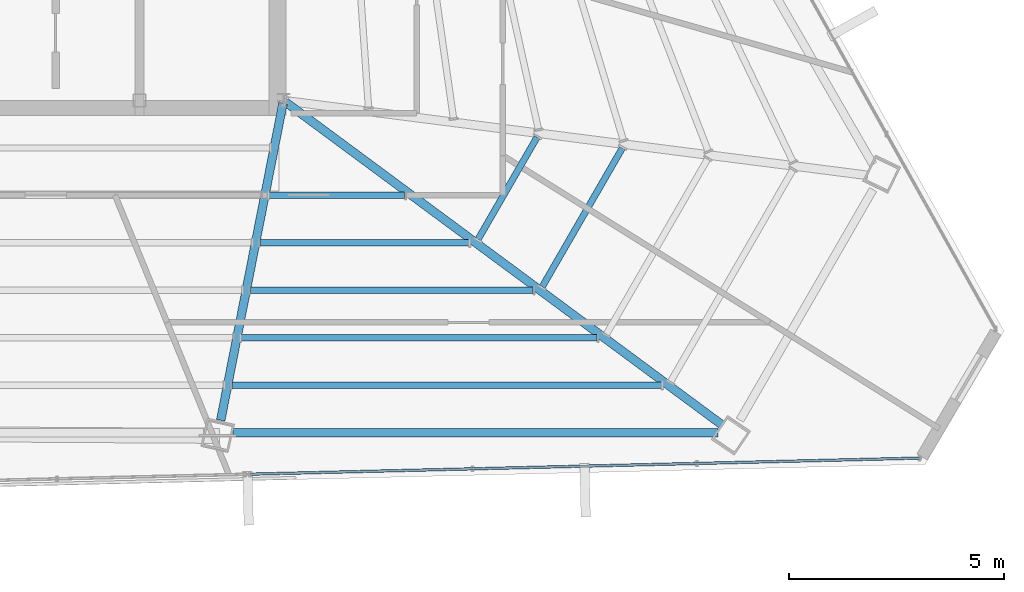
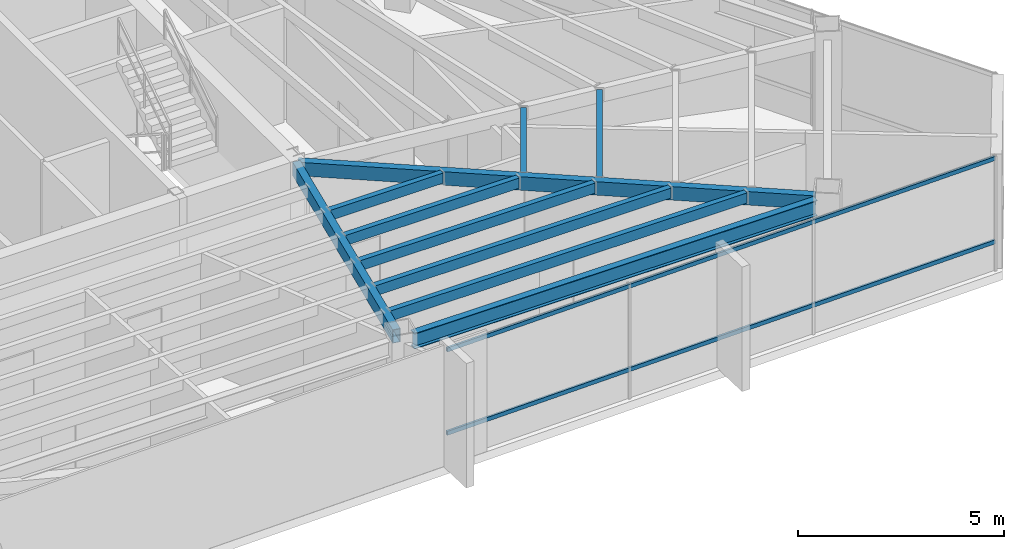
# One storey, part 20 of 48: 10 beams, 2 members, 1 element without a shape of its own.
"""IFC4 building model written with IfcOpenShell, lengths in metres."""

from ifc_helpers import new_model, si_unit, direction, frame, origin, origin_2d, place, context, subcontext, project, spatial, hollow_rectangle, i_section, extrude, source, transform, mapped, material, material_profile, profile_set, type_object, type_shapes, element, aggregate, save


model = new_model("IFC4")

# Units and contexts
model_context = context("Model", 3, precision=1e-05, world=origin(), true_north=direction((0.0, 1.0)))
body_context = subcontext(model_context, "Body", "Model", "MODEL_VIEW")
ifc_project = project(units=[si_unit("LENGTHUNIT", "METRE"), si_unit("AREAUNIT", "SQUARE_METRE"), si_unit("VOLUMEUNIT", "CUBIC_METRE"), si_unit("PLANEANGLEUNIT", "RADIAN"), si_unit("MASSUNIT", "GRAM", prefix="KILO")], contexts=[model_context])

# Site, building, storey
site_placement = place(None, origin())
site = spatial("IfcSite", under=ifc_project, at=site_placement, CompositionType="ELEMENT")
building_placement = place(site_placement, origin())
building = spatial("IfcBuilding", under=site, at=building_placement, Name="Caelisora Broadcast Tower", CompositionType="ELEMENT")
storey_placement = place(building_placement, frame((0.0, 0.0, 270.0)))
storey = spatial("IfcBuildingStorey", under=building, at=storey_placement, Name="L71", CompositionType="ELEMENT", Elevation=270.0)

# Beams
ifc_material_1 = material(Name="Steel Grade 350 (AS/NZS 3679.1)", Category="steel")
ifc_material_profile_1 = material_profile(ifc_material_1, i_section(OverallWidth=0.19091796875, OverallDepth=0.46044921875, WebThickness=0.010009765625, FlangeThickness=0.01611328125, at=origin_2d()), Name="Steel Grade 350 (AS/NZS 3679.1)")
ifc_profile_set_1 = profile_set([ifc_material_profile_1], Name="Steel Grade 350 (AS/NZS 3679.1)")
beam_type_1 = type_object("IfcBeamType", Name="PG06", PredefinedType="BEAM", material=ifc_profile_set_1)
shared_shape_1 = source(origin(), body_context, "Body", "SweptSolid", [
    extrude(i_section(OverallWidth=0.19091796875, OverallDepth=0.46044921875, WebThickness=0.010009765625, FlangeThickness=0.01611328125, at=origin_2d()), origin(), (0.0, 0.0, 1.0), 11.2880859375),
])
type_shapes(beam_type_1, [shared_shape_1])
beam_1_placement = place(storey_placement, frame((44.320068359375, 9.673583984375, 3.169921875), z_axis=(1.0, 0.0, 0.0), x_axis=(0.0, 1.0, 0.0)))
element("IfcBeam", 1, at=beam_1_placement, inside=storey, type_object=beam_type_1, Name="L71 beam PG06", PredefinedType="BEAM", context=body_context, shape_type="MappedRepresentation", body=[
    mapped(shared_shape_1, transform((0.0, 0.0, 0.0), scale=1.0)),
])
ifc_material_2 = material(Name="Steel Grade 350 (AS/NZS 1163 C350L0)", Category="steel")
ifc_material_profile_2 = material_profile(ifc_material_2, hollow_rectangle(XDim=0.199951171875, YDim=0.39990234375, WallThickness=0.012451171875, at=origin_2d()), Name="Steel Grade 350 (AS/NZS 1163 C350L0)")
ifc_profile_set_2 = profile_set([ifc_material_profile_2], Name="Steel Grade 350 (AS/NZS 1163 C350L0)")
beam_type_2 = type_object("IfcBeamType", Name="PG07", PredefinedType="BEAM", material=ifc_profile_set_2)
shared_shape_2 = source(origin(), body_context, "Body", "SweptSolid", [
    extrude(hollow_rectangle(XDim=0.199951171875, YDim=0.39990234375, WallThickness=0.012451171875, at=origin_2d()), origin(), (0.0, 0.0, 1.0), 12.635009765625),
])
beam_2_placement = place(storey_placement, frame((45.548095703125, 17.3642578125, 3.199951171875), z_axis=(0.803986561344, -0.594647466302, 0.0), x_axis=(0.594647466302, 0.803986561344, 0.0)))
element("IfcBeam", 2, at=beam_2_placement, inside=storey, type_object=beam_type_2, Name="L71 beam PG07", PredefinedType="BEAM", context=body_context, shape_type="MappedRepresentation", body=[
    mapped(shared_shape_2, transform((0.0, 0.0, 0.0), scale=1.0)),
])
shared_shape_3 = source(origin(), body_context, "Body", "SweptSolid", [
    extrude(hollow_rectangle(XDim=0.199951171875, YDim=0.39990234375, WallThickness=0.012451171875, at=origin_2d()), origin(), (0.0, 0.0, 1.0), 7.515869140625),
])
type_shapes(beam_type_2, [shared_shape_2, shared_shape_3])
beam_3_placement = place(storey_placement, frame((45.48828125, 17.341064453125, 3.199951171875), z_axis=(-0.192754240095, -0.981247065181, 0.0), x_axis=(0.981247065181, -0.192754240095, 0.0)))
element("IfcBeam", 3, at=beam_3_placement, inside=storey, type_object=beam_type_2, Name="L71 beam PG07", PredefinedType="BEAM", context=body_context, shape_type="MappedRepresentation", body=[
    mapped(shared_shape_3, transform((0.0, 0.0, 0.0), scale=1.0)),
])
ifc_material_profile_3 = material_profile(ifc_material_2, hollow_rectangle(XDim=0.14990234375, YDim=0.300048828125, WallThickness=0.010009765625, at=origin_2d()), Name="Steel Grade 350 (AS/NZS 1163 C350L0)")
ifc_profile_set_3 = profile_set([ifc_material_profile_3], Name="Steel Grade 350 (AS/NZS 1163 C350L0)")
beam_type_3 = type_object("IfcBeamType", Name="SB05", PredefinedType="JOIST", material=ifc_profile_set_3)
shared_shape_4 = source(origin(), body_context, "Body", "SweptSolid", [
    extrude(hollow_rectangle(XDim=0.14990234375, YDim=0.300048828125, WallThickness=0.010009765625, at=origin_2d()), origin(), (0.0, 0.0, 1.0), 2.740478515625),
])
beam_4_placement = place(storey_placement, frame((50.025634765625, 14.173095703125, 3.25), z_axis=(0.500038620418, 0.866003105128, 0.0), x_axis=(-0.866003105128, 0.500038620418, 0.0)))
element("IfcBeam", 4, at=beam_4_placement, inside=storey, type_object=beam_type_3, Name="L71 beam SB05", PredefinedType="JOIST", context=body_context, shape_type="MappedRepresentation", body=[
    mapped(shared_shape_4, transform((0.0, 0.0, 0.0), scale=1.0)),
])
shared_shape_5 = source(origin(), body_context, "Body", "SweptSolid", [
    extrude(hollow_rectangle(XDim=0.14990234375, YDim=0.300048828125, WallThickness=0.010009765625, at=origin_2d()), origin(), (0.0, 0.0, 1.0), 3.7216796875),
])
beam_5_placement = place(storey_placement, frame((51.51806640625, 13.0693359375, 3.25), z_axis=(0.499991230095, 0.866030467032, 0.0), x_axis=(-0.866030467032, 0.499991230095, 0.0)))
element("IfcBeam", 5, at=beam_5_placement, inside=storey, type_object=beam_type_3, Name="L71 beam SB05", PredefinedType="JOIST", context=body_context, shape_type="MappedRepresentation", body=[
    mapped(shared_shape_5, transform((0.0, 0.0, 0.0), scale=1.0)),
])
shared_shape_6 = source(origin(), body_context, "Body", "SweptSolid", [
    extrude(hollow_rectangle(XDim=0.14990234375, YDim=0.300048828125, WallThickness=0.010009765625, at=origin_2d()), origin(), (0.0, 0.0, 1.0), 3.154052734375),
])
beam_6_placement = place(storey_placement, frame((45.165283203125, 15.1923828125, 3.25), z_axis=(1.0, 0.0, 0.0), x_axis=(0.0, 1.0, 0.0)))
element("IfcBeam", 6, at=beam_6_placement, inside=storey, type_object=beam_type_3, Name="L71 beam SB05", PredefinedType="JOIST", context=body_context, shape_type="MappedRepresentation", body=[
    mapped(shared_shape_6, transform((0.0, 0.0, 0.0), scale=1.0)),
])
shared_shape_7 = source(origin(), body_context, "Body", "SweptSolid", [
    extrude(hollow_rectangle(XDim=0.14990234375, YDim=0.300048828125, WallThickness=0.010009765625, at=origin_2d()), origin(), (0.0, 0.0, 1.0), 4.86328125),
])
beam_7_placement = place(storey_placement, frame((44.948486328125, 14.088623046875, 3.25), z_axis=(1.0, 0.0, 0.0), x_axis=(0.0, 1.0, 0.0)))
element("IfcBeam", 7, at=beam_7_placement, inside=storey, type_object=beam_type_3, Name="L71 beam SB05", PredefinedType="JOIST", context=body_context, shape_type="MappedRepresentation", body=[
    mapped(shared_shape_7, transform((0.0, 0.0, 0.0), scale=1.0)),
])
shared_shape_8 = source(origin(), body_context, "Body", "SweptSolid", [
    extrude(hollow_rectangle(XDim=0.14990234375, YDim=0.300048828125, WallThickness=0.010009765625, at=origin_2d()), origin(), (0.0, 0.0, 1.0), 6.57275390625),
])
beam_8_placement = place(storey_placement, frame((44.7314453125, 12.98486328125, 3.25), z_axis=(1.0, 0.0, 0.0), x_axis=(0.0, 1.0, 0.0)))
element("IfcBeam", 8, at=beam_8_placement, inside=storey, type_object=beam_type_3, Name="L71 beam SB05", PredefinedType="JOIST", context=body_context, shape_type="MappedRepresentation", body=[
    mapped(shared_shape_8, transform((0.0, 0.0, 0.0), scale=1.0)),
])
shared_shape_9 = source(origin(), body_context, "Body", "SweptSolid", [
    extrude(hollow_rectangle(XDim=0.14990234375, YDim=0.300048828125, WallThickness=0.010009765625, at=origin_2d()), origin(), (0.0, 0.0, 1.0), 8.28173828125),
])
beam_9_placement = place(storey_placement, frame((44.5146484375, 11.881103515625, 3.25), z_axis=(1.0, 0.0, 0.0), x_axis=(0.0, 1.0, 0.0)))
element("IfcBeam", 9, at=beam_9_placement, inside=storey, type_object=beam_type_3, Name="L71 beam SB05", PredefinedType="JOIST", context=body_context, shape_type="MappedRepresentation", body=[
    mapped(shared_shape_9, transform((0.0, 0.0, 0.0), scale=1.0)),
])
shared_shape_10 = source(origin(), body_context, "Body", "SweptSolid", [
    extrude(hollow_rectangle(XDim=0.14990234375, YDim=0.300048828125, WallThickness=0.010009765625, at=origin_2d()), origin(), (0.0, 0.0, 1.0), 9.990966796875),
])
type_shapes(beam_type_3, [shared_shape_4, shared_shape_5, shared_shape_6, shared_shape_7, shared_shape_8, shared_shape_9, shared_shape_10])
beam_10_placement = place(storey_placement, frame((44.2978515625, 10.77734375, 3.25), z_axis=(1.0, 0.0, 0.0), x_axis=(0.0, 1.0, 0.0)))
element("IfcBeam", 10, at=beam_10_placement, inside=storey, type_object=beam_type_3, Name="L71 beam SB05", PredefinedType="JOIST", context=body_context, shape_type="MappedRepresentation", body=[
    mapped(shared_shape_10, transform((0.0, 0.0, 0.0), scale=1.0)),
])

# Curtain wall, members
ifc_material_3 = material(Name="Unitised Aluminium and Low-E Glass Curtain Wall", Category="glass")
curtain_wall_type = type_object("IfcCurtainWallType", Name="CW-Z5", PredefinedType="NOTDEFINED", material=ifc_material_3)
curtain_wall_placement = place(storey_placement, origin())
curtain_wall = element("IfcCurtainWall", 11, at=curtain_wall_placement, inside=storey, type_object=curtain_wall_type, Name="L71 curtain wall CW-Z5", PredefinedType="NOTDEFINED")
ifc_material_4 = material(Name="Aluminium 6063-T6 Anodised Terracotta Bronze", Category="aluminium")
ifc_material_profile_4 = material_profile(ifc_material_4, hollow_rectangle(XDim=0.06005859375, YDim=0.1201171875, WallThickness=0.0029296875, at=origin_2d()), Name="Aluminium 6063-T6 Anodised Terracotta Bronze")
ifc_profile_set_4 = profile_set([ifc_material_profile_4], Name="Aluminium 6063-T6 Anodised Terracotta Bronze")
member_type = type_object("IfcMemberType", Name="CWT-03", PredefinedType="USERDEFINED", material=ifc_profile_set_4)
shared_shape_11 = source(origin(), body_context, "Body", "SweptSolid", [
    extrude(hollow_rectangle(XDim=0.06005859375, YDim=0.1201171875, WallThickness=0.0029296875, at=origin_2d()), origin(), (0.0, 0.0, 1.0), 15.5751953125),
])
type_shapes(member_type, [shared_shape_11])
member_1_placement = place(storey_placement, frame((60.2880859375, 9.083740234375, 0.85009765625), z_axis=(-0.999711624838, -0.024013895219, 0.0), x_axis=(0.024013895219, -0.999711624838, 0.0)))
member_1 = element("IfcMember", 12, at=member_1_placement, type_object=member_type, Name="L71-CW-B05 transom #1", ObjectType="TRANSOM", PredefinedType="USERDEFINED", context=body_context, shape_type="MappedRepresentation", body=[
    mapped(shared_shape_11, transform((0.0, 0.0, 0.0), scale=1.0)),
])
member_2_placement = place(storey_placement, frame((60.2880859375, 9.083740234375, 3.320068359375), z_axis=(-0.999711624838, -0.024013895219, 0.0), x_axis=(0.024013895219, -0.999711624838, 0.0)))
member_2 = element("IfcMember", 13, at=member_2_placement, type_object=member_type, Name="L71-CW-B05 transom #2", ObjectType="TRANSOM", PredefinedType="USERDEFINED", context=body_context, shape_type="MappedRepresentation", body=[
    mapped(shared_shape_11, transform((0.0, 0.0, 0.0), scale=1.0)),
])
aggregate(curtain_wall, [member_1, member_2])

save(model, "model.ifc")
